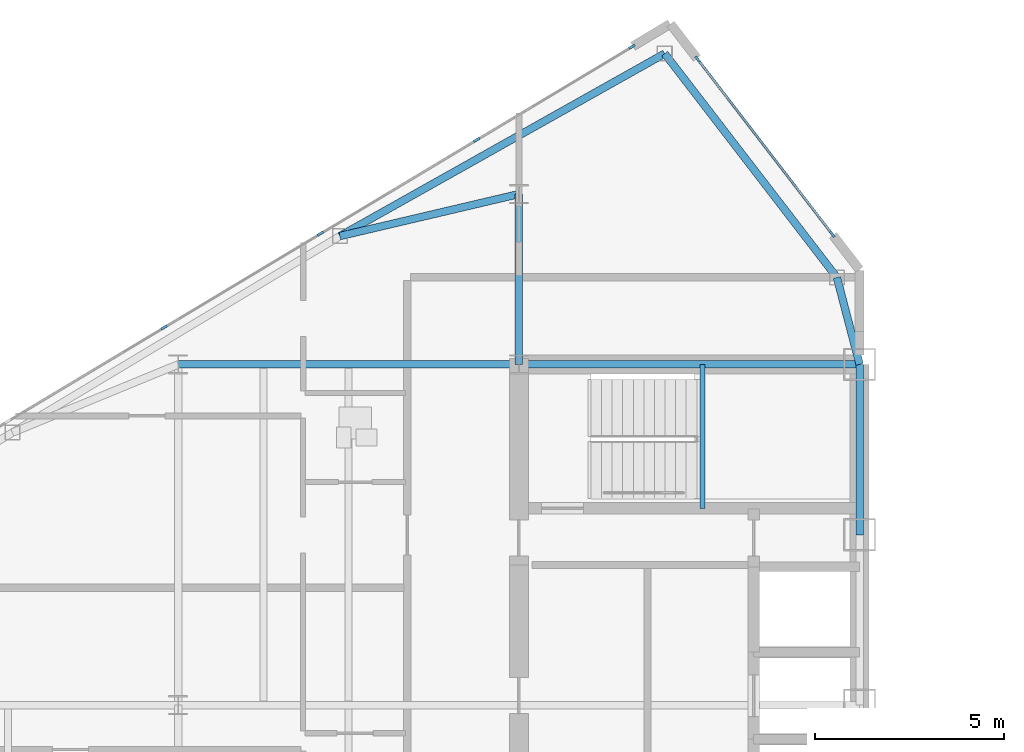
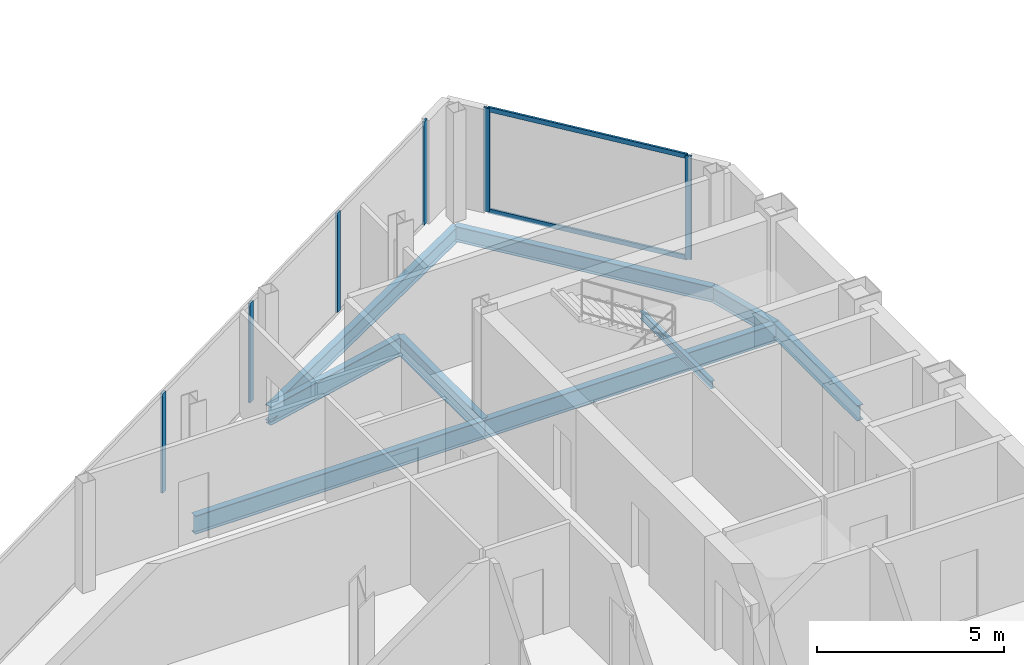
# One storey, part 10 of 25: 9 beams, 8 members, 2 elements without a shape of their own.
"""IFC4 building model written with IfcOpenShell, lengths in metres."""

from ifc_helpers import new_model, si_unit, direction, frame, origin, origin_2d, place, context, subcontext, project, spatial, rectangle, i_section, extrude, source, transform, mapped, material, layer, layer_set, material_profile, profile_set, type_object, type_shapes, element, aggregate, save


model = new_model("IFC4")

# Units and contexts
model_context = context("Model", 3, precision=1e-05, world=origin(), true_north=direction((0.0, 1.0)))
body_context = subcontext(model_context, "Body", "Model", "MODEL_VIEW")
ifc_project = project(units=[si_unit("LENGTHUNIT", "METRE"), si_unit("AREAUNIT", "SQUARE_METRE"), si_unit("VOLUMEUNIT", "CUBIC_METRE"), si_unit("PLANEANGLEUNIT", "RADIAN"), si_unit("MASSUNIT", "GRAM", prefix="KILO")], contexts=[model_context])

# Site, building, storey
site_placement = place(None, origin())
site = spatial("IfcSite", under=ifc_project, at=site_placement, CompositionType="ELEMENT")
building_placement = place(site_placement, origin())
building = spatial("IfcBuilding", under=site, at=building_placement, Name="Seokmaru Belvedere", CompositionType="ELEMENT")
storey_placement = place(building_placement, frame((0.0, 0.0, 213.89990234375)))
storey = spatial("IfcBuildingStorey", under=building, at=storey_placement, Name="L57", CompositionType="ELEMENT", Elevation=213.89990234375)

# Beams
ifc_material_1 = material(Name="Steel SM355 (355 MPa)", Category="steel")
ifc_material_profile_1 = material_profile(ifc_material_1, i_section(OverallWidth=0.199951171875, OverallDepth=0.5, WebThickness=0.010009765625, FlangeThickness=0.01611328125, at=origin_2d()), Name="H-500x200x10x16")
ifc_profile_set_1 = profile_set([ifc_material_profile_1], Name="Steel SM355 (355 MPa)")
beam_type_1 = type_object("IfcBeamType", Name="Perimeter Spandrel Beam H-500", PredefinedType="SPANDREL", material=ifc_profile_set_1)
shared_shape_1 = source(origin(), body_context, "Body", "SweptSolid", [
    extrude(i_section(OverallWidth=0.199951171875, OverallDepth=0.5, WebThickness=0.010009765625, FlangeThickness=0.01611328125, at=origin_2d()), origin(), (0.0, 0.0, 1.0), 4.5),
])
beam_1_placement = place(storey_placement, frame((-27.5, 9.0, -0.469970703125), z_axis=(0.0, 1.0, 0.0), x_axis=(-1.0, 0.0, 0.0)))
element("IfcBeam", 1, at=beam_1_placement, inside=storey, type_object=beam_type_1, Name="L57 W Portal Spine Spandrel 5", PredefinedType="SPANDREL", context=body_context, shape_type="MappedRepresentation", body=[
    mapped(shared_shape_1, transform((0.0, 0.0, 0.0), scale=1.0)),
])
ifc_material_profile_2 = material_profile(ifc_material_1, i_section(OverallWidth=0.199951171875, OverallDepth=0.60009765625, WebThickness=0.010986328125, FlangeThickness=0.01708984375, at=origin_2d()), Name="H-600x200x11x17")
ifc_profile_set_2 = profile_set([ifc_material_profile_2], Name="Steel SM355 (355 MPa)")
beam_type_2 = type_object("IfcBeamType", Name="Primary Floor Girder H-600", PredefinedType="BEAM", material=ifc_profile_set_2)
shared_shape_2 = source(origin(), body_context, "Body", "SweptSolid", [
    extrude(i_section(OverallWidth=0.199951171875, OverallDepth=0.60009765625, WebThickness=0.010986328125, FlangeThickness=0.01708984375, at=origin_2d()), origin(), (0.0, 0.0, 1.0), 9.0),
])
for number, where, z_axis, x_axis, name in (
    (2, (-36.5, 13.5, -0.52001953125), (1.0, 0.0, 0.0), (0.0, 1.0, 0.0), "L57 W Core Tie Girder 4"),
    (3, (-45.5, 13.5, -0.52001953125), (1.0, 0.0, 0.0), (0.0, 1.0, 0.0), "L57 W Wing Primary Girder 4"),
):
    element("IfcBeam", number, at=place(storey_placement, frame(where, z_axis=z_axis, x_axis=x_axis)), inside=storey, type_object=beam_type_2, Name=name, PredefinedType="BEAM", context=body_context, shape_type="MappedRepresentation", body=[
        mapped(shared_shape_2, transform((0.0, 0.0, 0.0), scale=1.0)),
    ])
shared_shape_3 = source(origin(), body_context, "Body", "SweptSolid", [
    extrude(i_section(OverallWidth=0.199951171875, OverallDepth=0.60009765625, WebThickness=0.010986328125, FlangeThickness=0.01708984375, at=origin_2d()), origin(), (0.0, 0.0, 1.0), 4.5),
])
beam_2_placement = place(storey_placement, frame((-36.5, 13.5, -0.52001953125), z_axis=(0.0, 1.0, 0.0), x_axis=(-1.0, 0.0, 0.0)))
element("IfcBeam", 4, at=beam_2_placement, inside=storey, type_object=beam_type_2, Name="L57 W Core Shoulder Girder N", PredefinedType="BEAM", context=body_context, shape_type="MappedRepresentation", body=[
    mapped(shared_shape_3, transform((0.0, 0.0, 0.0), scale=1.0)),
])
shared_shape_4 = source(origin(), body_context, "Body", "SweptSolid", [
    extrude(i_section(OverallWidth=0.199951171875, OverallDepth=0.5, WebThickness=0.010009765625, FlangeThickness=0.01611328125, at=origin_2d()), origin(), (0.0, 0.0, 1.0), 9.842041015625),
])
beam_3_placement = place(storey_placement, frame((-32.649658203125, 21.71044921875, -0.469970703125), z_axis=(-0.871782151818, -0.489893743349, 0.0), x_axis=(0.489893743349, -0.871782151818, 0.0)))
element("IfcBeam", 5, at=beam_3_placement, inside=storey, type_object=beam_type_1, Name="L57 W Faceted Flank Spandrel N-1", PredefinedType="SPANDREL", context=body_context, shape_type="MappedRepresentation", body=[
    mapped(shared_shape_4, transform((0.0, 0.0, 0.0), scale=1.0)),
])
shared_shape_5 = source(origin(), body_context, "Body", "SweptSolid", [
    extrude(i_section(OverallWidth=0.199951171875, OverallDepth=0.5, WebThickness=0.010009765625, FlangeThickness=0.01611328125, at=origin_2d()), origin(), (0.0, 0.0, 1.0), 7.4619140625),
])
beam_4_placement = place(storey_placement, frame((-32.649658203125, 21.71044921875, -0.469970703125), z_axis=(0.609702854945, -0.792630070507, 0.0), x_axis=(0.792630070507, 0.609702854945, 0.0)))
element("IfcBeam", 6, at=beam_4_placement, inside=storey, type_object=beam_type_1, Name="L57 W Shoulder Chamfer Spandrel N", PredefinedType="SPANDREL", context=body_context, shape_type="MappedRepresentation", body=[
    mapped(shared_shape_5, transform((0.0, 0.0, 0.0), scale=1.0)),
])
shared_shape_6 = source(origin(), body_context, "Body", "SweptSolid", [
    extrude(i_section(OverallWidth=0.199951171875, OverallDepth=0.5, WebThickness=0.010009765625, FlangeThickness=0.01611328125, at=origin_2d()), origin(), (0.0, 0.0, 1.0), 2.373046875),
])
type_shapes(beam_type_1, [shared_shape_1, shared_shape_4, shared_shape_5, shared_shape_6])
beam_5_placement = place(storey_placement, frame((-28.10009765625, 15.7958984375, -0.469970703125), z_axis=(0.252882558842, -0.967496982648, 0.0), x_axis=(0.967496982648, 0.252882558842, 0.0)))
element("IfcBeam", 7, at=beam_5_placement, inside=storey, type_object=beam_type_1, Name="L57 W Shoulder Spine Spandrel N", PredefinedType="SPANDREL", context=body_context, shape_type="MappedRepresentation", body=[
    mapped(shared_shape_6, transform((0.0, 0.0, 0.0), scale=1.0)),
])
shared_shape_7 = source(origin(), body_context, "Body", "SweptSolid", [
    extrude(i_section(OverallWidth=0.199951171875, OverallDepth=0.60009765625, WebThickness=0.010986328125, FlangeThickness=0.01708984375, at=origin_2d()), origin(), (0.0, 0.0, 1.0), 4.8583984375),
])
type_shapes(beam_type_2, [shared_shape_2, shared_shape_3, shared_shape_7])
beam_6_placement = place(storey_placement, frame((-41.229736328125, 16.888916015625, -0.52001953125), z_axis=(0.97349948295, 0.228689214211, 0.0), x_axis=(-0.228689214211, 0.97349948295, 0.0)))
element("IfcBeam", 8, at=beam_6_placement, inside=storey, type_object=beam_type_2, Name="L57 W Flank Radial Floor Girder N-1", PredefinedType="BEAM", context=body_context, shape_type="MappedRepresentation", body=[
    mapped(shared_shape_7, transform((0.0, 0.0, 0.0), scale=1.0)),
])

# Curtain wall, members
ifc_material_2 = material(Name="Bronze Triple Insulating Glass", Category="glass")
ifc_layer = layer(ifc_material_2, 0.179931640625)
ifc_layer_set = layer_set([ifc_layer], Name="Bronze Triple Insulating Glass")
curtain_wall_type = type_object("IfcCurtainWallType", Name="High-Rise Wind-Corner Curtain Wall System CW-5", PredefinedType="NOTDEFINED", material=ifc_layer_set)
curtain_wall_1_placement = place(storey_placement, origin())
curtain_wall_1 = element("IfcCurtainWall", 9, at=curtain_wall_1_placement, inside=storey, type_object=curtain_wall_type, Name="L57 Curtain Wall WF3", PredefinedType="NOTDEFINED")
ifc_material_3 = material(Name="Anodised Bronze Aluminium", Category="aluminium")
ifc_material_profile_3 = material_profile(ifc_material_3, rectangle(XDim=0.06494140625, YDim=0.179931640625, at=origin_2d()), Name="CW-M-65x180")
ifc_profile_set_3 = profile_set([ifc_material_profile_3], Name="Anodised Bronze Aluminium")
member_type_1 = type_object("IfcMemberType", Name="Bronze Unitised Mullion 65x180", PredefinedType="MULLION", material=ifc_profile_set_3)
shared_shape_8 = source(origin(), body_context, "Body", "SweptSolid", [
    extrude(rectangle(XDim=0.06494140625, YDim=0.179931640625, at=origin_2d()), origin(), (0.0, 0.0, 1.0), 3.25),
])
member_1_placement = place(storey_placement, frame((-37.614501953125, 19.43115234375, 0.065185546875), z_axis=(0.0, 0.0, 1.0), x_axis=(0.514494909364, -0.85749343335, 0.0)))
member_1 = element("IfcMember", 10, at=member_1_placement, type_object=member_type_1, Name="CW:L57:WF3 Mullion 2", PredefinedType="MULLION", context=body_context, shape_type="MappedRepresentation", body=[
    mapped(shared_shape_8, transform((0.0, 0.0, 0.0), scale=1.0)),
])
member_2_placement = place(storey_placement, frame((-41.7431640625, 16.9541015625, 0.065185546875), z_axis=(0.0, 0.0, 1.0), x_axis=(0.514494909364, -0.85749343335, 0.0)))
member_2 = element("IfcMember", 11, at=member_2_placement, type_object=member_type_1, Name="CW:L57:WF3 Mullion 3", PredefinedType="MULLION", context=body_context, shape_type="MappedRepresentation", body=[
    mapped(shared_shape_8, transform((0.0, 0.0, 0.0), scale=1.0)),
])
member_3_placement = place(storey_placement, frame((-45.87158203125, 14.47705078125, 0.065185546875), z_axis=(0.0, 0.0, 1.0), x_axis=(0.514494909364, -0.85749343335, 0.0)))
member_3 = element("IfcMember", 12, at=member_3_placement, type_object=member_type_1, Name="CW:L57:WF3 Mullion 4", PredefinedType="MULLION", context=body_context, shape_type="MappedRepresentation", body=[
    mapped(shared_shape_8, transform((0.0, 0.0, 0.0), scale=1.0)),
])

curtain_wall_2_placement = place(storey_placement, origin())
curtain_wall_2 = element("IfcCurtainWall", 13, at=curtain_wall_2_placement, inside=storey, type_object=curtain_wall_type, Name="L57 Curtain Wall WF2", PredefinedType="NOTDEFINED")
shared_shape_9 = source(origin(), body_context, "Body", "SweptSolid", [
    extrude(rectangle(XDim=0.06494140625, YDim=0.179931640625, at=origin_2d()), origin(), (0.0, 0.0, 1.0), 3.380126953125),
])
type_shapes(member_type_1, [shared_shape_8, shared_shape_9])
member_4_placement = place(storey_placement, frame((-28.220947265625, 16.937255859375, 0.0), z_axis=(0.0, 0.0, 1.0), x_axis=(-0.792631353244, -0.609701187349, 0.0)))
member_4 = element("IfcMember", 14, at=member_4_placement, type_object=member_type_1, Name="CW:L57:WF2 Mullion 1", PredefinedType="MULLION", context=body_context, shape_type="MappedRepresentation", body=[
    mapped(shared_shape_9, transform((0.0, 0.0, 0.0), scale=1.0)),
])
member_5_placement = place(storey_placement, frame((-31.779052734375, 21.562744140625, 0.0), z_axis=(0.0, 0.0, 1.0), x_axis=(-0.792631353244, -0.609701187349, 0.0)))
member_5 = element("IfcMember", 15, at=member_5_placement, type_object=member_type_1, Name="CW:L57:WF2 Mullion 2", PredefinedType="MULLION", context=body_context, shape_type="MappedRepresentation", body=[
    mapped(shared_shape_9, transform((0.0, 0.0, 0.0), scale=1.0)),
])

# Member
member_6_placement = place(storey_placement, frame((-33.513916015625, 21.8916015625, 0.0), z_axis=(0.0, 0.0, 1.0), x_axis=(0.514494909364, -0.85749343335, 0.0)))
member_6 = element("IfcMember", 16, at=member_6_placement, type_object=member_type_1, Name="CW:L57:WF3 Mullion 1", PredefinedType="MULLION", context=body_context, shape_type="MappedRepresentation", body=[
    mapped(shared_shape_9, transform((0.0, 0.0, 0.0), scale=1.0)),
])

aggregate(curtain_wall_1, [member_6, member_1, member_2, member_3])

ifc_material_profile_4 = material_profile(ifc_material_3, rectangle(XDim=0.06494140625, YDim=0.14990234375, at=origin_2d()), Name="CW-T-65x150")
ifc_profile_set_4 = profile_set([ifc_material_profile_4], Name="Anodised Bronze Aluminium")
member_type_2 = type_object("IfcMemberType", Name="Bronze Unitised Transom 65x150", PredefinedType="USERDEFINED", material=ifc_profile_set_4)
shared_shape_10 = source(origin(), body_context, "Body", "SweptSolid", [
    extrude(rectangle(XDim=0.06494140625, YDim=0.14990234375, at=origin_2d()), origin(), (0.0, 0.0, 1.0), 5.77099609375),
])
type_shapes(member_type_2, [shared_shape_10])
member_7_placement = place(storey_placement, frame((-28.24072265625, 16.962890625, 0.03271484375), z_axis=(-0.60970258286, 0.792630279799, 0.0), x_axis=(-0.792630279799, -0.60970258286, 0.0)))
member_7 = element("IfcMember", 17, at=member_7_placement, type_object=member_type_2, Name="CW:L57:WF2 Continuous Transom 1", ObjectType="TRANSOM", PredefinedType="USERDEFINED", context=body_context, shape_type="MappedRepresentation", body=[
    mapped(shared_shape_10, transform((0.0, 0.0, 0.0), scale=1.0)),
])

member_8_placement = place(storey_placement, frame((-28.24072265625, 16.962890625, 3.34765625), z_axis=(-0.60970258286, 0.792630279799, 0.0), x_axis=(-0.792630279799, -0.60970258286, 0.0)))
member_8 = element("IfcMember", 18, at=member_8_placement, type_object=member_type_2, Name="CW:L57:WF2 Continuous Transom 2", ObjectType="TRANSOM", PredefinedType="USERDEFINED", context=body_context, shape_type="MappedRepresentation", body=[
    mapped(shared_shape_10, transform((0.0, 0.0, 0.0), scale=1.0)),
])

aggregate(curtain_wall_2, [member_4, member_5, member_7, member_8])

# Beam
ifc_material_profile_5 = material_profile(ifc_material_1, i_section(OverallWidth=0.125, OverallDepth=0.25, WebThickness=0.006103515625, FlangeThickness=0.009033203125, at=origin_2d()), Name="H-250x125x6x9")
ifc_profile_set_5 = profile_set([ifc_material_profile_5], Name="Steel SM355 (355 MPa)")
beam_type_3 = type_object("IfcBeamType", Name="Stair Mid-Landing Support Beam H-250", PredefinedType="JOIST", material=ifc_profile_set_5)
shared_shape_11 = source(origin(), body_context, "Body", "SweptSolid", [
    extrude(i_section(OverallWidth=0.125, OverallDepth=0.25, WebThickness=0.006103515625, FlangeThickness=0.009033203125, at=origin_2d()), origin(), (0.0, 0.0, 1.0), 3.800048828125),
])
type_shapes(beam_type_3, [shared_shape_11])
beam_7_placement = place(storey_placement, frame((-31.64990234375, 9.699951171875, 1.47509765625), z_axis=(0.0, 1.0, 0.0), x_axis=(-1.0, 0.0, 0.0)))
element("IfcBeam", 19, at=beam_7_placement, inside=storey, type_object=beam_type_3, Name="L57 Stair ST-W2 Mid-Landing Support Beam 1", PredefinedType="JOIST", context=body_context, shape_type="MappedRepresentation", body=[
    mapped(shared_shape_11, transform((0.0, 0.0, 0.0), scale=1.0)),
])

save(model, "model.ifc")
